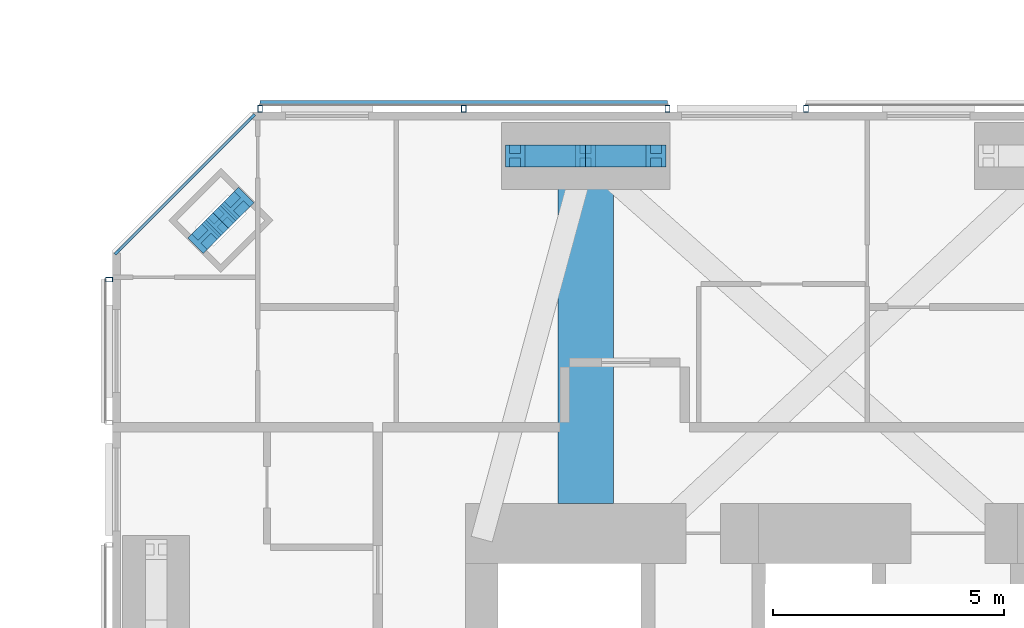
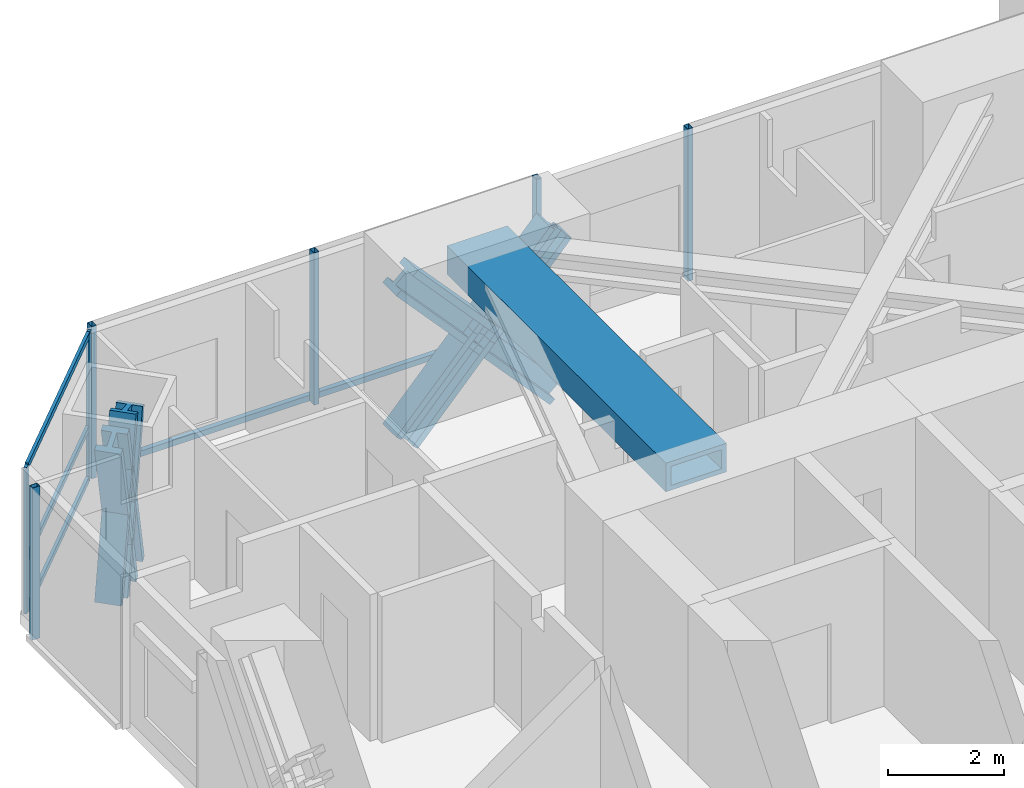
# One storey, part 11 of 22: 19 members, 1 beam, 4 elements without a shape of their own.
"""IFC4 building model written with IfcOpenShell, lengths in metres."""

from ifc_helpers import new_model, si_unit, direction, frame, origin, origin_2d, place, context, subcontext, project, spatial, rectangle, hollow_rectangle, i_section, extrude, material, material_profile, profile_set, type_object, element, aggregate, save


model = new_model("IFC4")

# Units and contexts
model_context = context("Model", 3, precision=1e-05, world=origin(), true_north=direction((0.0, 1.0)))
body_context = subcontext(model_context, "Body", "Model", "MODEL_VIEW")
ifc_project = project(units=[si_unit("LENGTHUNIT", "METRE"), si_unit("AREAUNIT", "SQUARE_METRE"), si_unit("VOLUMEUNIT", "CUBIC_METRE"), si_unit("PLANEANGLEUNIT", "RADIAN"), si_unit("MASSUNIT", "GRAM", prefix="KILO")], contexts=[model_context])

# Site, building, storey
site_placement = place(None, origin())
site = spatial("IfcSite", under=ifc_project, at=site_placement, CompositionType="ELEMENT")
building_placement = place(site_placement, origin())
building = spatial("IfcBuilding", under=site, at=building_placement, Name="Jalousie Tower", CompositionType="ELEMENT")
storey_placement = place(building_placement, frame((0.0, 0.0, 204.60009765625)))
storey = spatial("IfcBuildingStorey", under=building, at=storey_placement, Name="L56", CompositionType="ELEMENT", Elevation=204.60009765625)

# Curtain wall, members
ifc_material_1 = material(Name="Aluminium curtain wall", Category="aluminium")
curtain_wall_type_1 = type_object("IfcCurtainWallType", Name="CORNER WINDOW WALL", PredefinedType="USERDEFINED", material=ifc_material_1)
curtain_wall_1_placement = place(storey_placement, origin())
curtain_wall_1 = element("IfcCurtainWall", 1, at=curtain_wall_1_placement, inside=storey, type_object=curtain_wall_type_1, Name="Corner Window Wall L56 6", ObjectType="CORNER WINDOW WALL", PredefinedType="USERDEFINED")
ifc_material_2 = material(Name="Aluminium mullion", Category="aluminium")
ifc_material_profile_1 = material_profile(ifc_material_2, rectangle(XDim=0.06005859375, YDim=0.14990234375, at=origin_2d()), Name="MULLION 60x150")
ifc_profile_set_1 = profile_set([ifc_material_profile_1], Name="Aluminium mullion")
member_type_1 = type_object("IfcMemberType", Name="CORNER WINDOW WALL MULLION", PredefinedType="MULLION", material=ifc_profile_set_1)
member_1_placement = place(storey_placement, frame((15.030029296875, 35.891357421875, 0.0), z_axis=(0.0, 0.0, 1.0), x_axis=(0.707106781187, -0.707106781187, 0.0)))
member_1 = element("IfcMember", 2, at=member_1_placement, type_object=member_type_1, Name="CW-C mullion 1", PredefinedType="MULLION", context=body_context, shape_type="SweptSolid", body=[
    extrude(rectangle(XDim=0.06005859375, YDim=0.14990234375, at=origin_2d()), origin(), (0.0, 0.0, 1.0), 3.06982421875),
])
member_2_placement = place(storey_placement, frame((12.108642578125, 32.969970703125, 0.0), z_axis=(0.0, 0.0, 1.0), x_axis=(0.707106781187, -0.707106781187, 0.0)))
member_2 = element("IfcMember", 3, at=member_2_placement, type_object=member_type_1, Name="CW-C mullion 2", PredefinedType="MULLION", context=body_context, shape_type="SweptSolid", body=[
    extrude(rectangle(XDim=0.06005859375, YDim=0.14990234375, at=origin_2d()), origin(), (0.0, 0.0, 1.0), 3.06982421875),
])
ifc_material_3 = material(Name="Aluminium transom", Category="aluminium")
ifc_material_profile_2 = material_profile(ifc_material_3, rectangle(XDim=0.06005859375, YDim=0.1201171875, at=origin_2d()), Name="TRANSOM 60x120")
ifc_profile_set_2 = profile_set([ifc_material_profile_2], Name="Aluminium transom")
member_type_2 = type_object("IfcMemberType", Name="CORNER WINDOW WALL TRANSOM", PredefinedType="USERDEFINED", material=ifc_profile_set_2)
member_3_placement = place(storey_placement, frame((15.0087890625, 35.8701171875, 0.02978515625), z_axis=(-0.707106781187, -0.707106781187, 0.0), x_axis=(0.707106781187, -0.707106781187, 0.0)))
member_3 = element("IfcMember", 4, at=member_3_placement, type_object=member_type_2, Name="CW-C transom 1.1", ObjectType="TRANSOM", PredefinedType="USERDEFINED", context=body_context, shape_type="SweptSolid", body=[
    extrude(rectangle(XDim=0.06005859375, YDim=0.1201171875, at=origin_2d()), origin(), (0.0, 0.0, 1.0), 4.0712890625),
])
member_4_placement = place(storey_placement, frame((15.0087890625, 35.8701171875, 1.099853515625), z_axis=(-0.707106781187, -0.707106781187, 0.0), x_axis=(0.707106781187, -0.707106781187, 0.0)))
member_4 = element("IfcMember", 5, at=member_4_placement, type_object=member_type_2, Name="CW-C transom 1.2", ObjectType="TRANSOM", PredefinedType="USERDEFINED", context=body_context, shape_type="SweptSolid", body=[
    extrude(rectangle(XDim=0.06005859375, YDim=0.1201171875, at=origin_2d()), origin(), (0.0, 0.0, 1.0), 4.0712890625),
])
member_5_placement = place(storey_placement, frame((15.0087890625, 35.8701171875, 3.039794921875), z_axis=(-0.707106781187, -0.707106781187, 0.0), x_axis=(0.707106781187, -0.707106781187, 0.0)))
member_5 = element("IfcMember", 6, at=member_5_placement, type_object=member_type_2, Name="CW-C transom 1.3", ObjectType="TRANSOM", PredefinedType="USERDEFINED", context=body_context, shape_type="SweptSolid", body=[
    extrude(rectangle(XDim=0.06005859375, YDim=0.1201171875, at=origin_2d()), origin(), (0.0, 0.0, 1.0), 4.0712890625),
])
aggregate(curtain_wall_1, [member_1, member_2, member_3, member_4, member_5])

# Beam
ifc_material_4 = material(Name="Steel ASTM A572 Grade 50 plate", Category="steel")
ifc_material_profile_3 = material_profile(ifc_material_4, hollow_rectangle(XDim=1.199951171875, YDim=0.60009765625, WallThickness=0.10009765625, at=origin_2d()), Name="BOX 600x1200x100")
ifc_profile_set_3 = profile_set([ifc_material_profile_3], Name="Steel ASTM A572 Grade 50 plate")
beam_type = type_object("IfcBeamType", Name="KINK TIE BOX 600x1200x100", PredefinedType="BEAM", material=ifc_profile_set_3)
beam_placement = place(storey_placement, frame((22.25, 35.050048828125, 2.77001953125), z_axis=(0.0, -1.0, 0.0), x_axis=(1.0, 0.0, 0.0)))
element("IfcBeam", 7, at=beam_placement, inside=storey, type_object=beam_type, Name="Kink tie under L57", PredefinedType="BEAM", context=body_context, shape_type="SweptSolid", body=[
    extrude(hollow_rectangle(XDim=1.199951171875, YDim=0.60009765625, WallThickness=0.10009765625, at=origin_2d()), origin(), (0.0, 0.0, 1.0), 7.525146484375),
])

# Members
ifc_material_5 = material(Name="Steel ASTM A992 Grade 50", Category="steel")
ifc_material_profile_4 = material_profile(ifc_material_5, i_section(OverallWidth=0.472412109375, OverallDepth=0.5791015625, WebThickness=0.094970703125, FlangeThickness=0.1298828125, at=origin_2d()), Name="W14X808")
ifc_profile_set_4 = profile_set([ifc_material_profile_4], Name="Steel ASTM A992 Grade 50")
member_type_3 = type_object("IfcMemberType", Name="PERIMETER BRACE W14X808", PredefinedType="BRACE", material=ifc_profile_set_4)
for number, where, z_axis, x_axis, name in (
    (8, (20.72509765625, 35.050048828125, -0.60009765625), (0.673187629365, 0.0, 0.739471713908), (0.0, 1.0, 0.0), "Perimeter brace 11 L56 part 1"),
    (9, (22.25, 35.050048828125, 1.074951171875), (0.673187629365, 0.0, 0.739471713908), (0.0, 1.0, 0.0), "Perimeter brace 11 L56 part 2"),
    (10, (23.77490234375, 35.050048828125, -0.60009765625), (-0.673187629365, 0.0, 0.739471713908), (0.0, -1.0, 0.0), "Perimeter brace 11 L56 part 3"),
    (11, (22.25, 35.050048828125, 1.074951171875), (-0.673187629365, 0.0, 0.739471713908), (0.0, -1.0, 0.0), "Perimeter brace 11 L56 part 4"),
):
    element("IfcMember", number, at=place(storey_placement, frame(where, z_axis=z_axis, x_axis=x_axis)), inside=storey, type_object=member_type_3, Name=name, PredefinedType="BRACE", context=body_context, shape_type="SweptSolid", body=[
        extrude(i_section(OverallWidth=0.472412109375, OverallDepth=0.5791015625, WebThickness=0.094970703125, FlangeThickness=0.1298828125, at=origin_2d()), origin(), (0.0, 0.0, 1.0), 2.26513671875),
    ])
for number, where, z_axis, x_axis, name in (
    (12, (14.7021484375, 34.0048828125, -0.60009765625), (-0.202372069365, -0.202092742837, 0.958229653493), (0.706618279267, -0.707594945859, 0.0), "Perimeter brace 12 L56 part 1"),
    (13, (14.348388671875, 33.651611328125, 1.074951171875), (-0.202092742837, -0.202372069365, 0.958229653493), (0.707594945859, -0.706618279267, 0.0), "Perimeter brace 12 L56 part 2"),
    (14, (13.9951171875, 33.2978515625, -0.60009765625), (0.202092742837, 0.202372069365, 0.958229653493), (-0.707594945859, 0.706618279267, 0.0), "Perimeter brace 12 L56 part 3"),
    (15, (14.348388671875, 33.651611328125, 1.074951171875), (0.202372069365, 0.202092742837, 0.958229653493), (-0.706618279267, 0.707594945859, 0.0), "Perimeter brace 12 L56 part 4"),
):
    element("IfcMember", number, at=place(storey_placement, frame(where, z_axis=z_axis, x_axis=x_axis)), inside=storey, type_object=member_type_3, Name=name, PredefinedType="BRACE", context=body_context, shape_type="SweptSolid", body=[
        extrude(i_section(OverallWidth=0.472412109375, OverallDepth=0.5791015625, WebThickness=0.094970703125, FlangeThickness=0.1298828125, at=origin_2d()), origin(), (0.0, 0.0, 1.0), 1.748046875),
    ])

# Curtain wall, member
ifc_material_6 = material(Name="Perforated aluminium sheet", Category="aluminium")
curtain_wall_type_2 = type_object("IfcCurtainWallType", Name="SOLAR SCREEN SS-1", PredefinedType="USERDEFINED", material=ifc_material_6)
curtain_wall_2_placement = place(storey_placement, origin())
curtain_wall_2 = element("IfcCurtainWall", 16, at=curtain_wall_2_placement, inside=storey, type_object=curtain_wall_type_2, Name="Solar screen L56", ObjectType="SOLAR SCREEN SS-1", PredefinedType="USERDEFINED")
ifc_material_7 = material(Name="Steel ASTM A500 Grade C", Category="steel")
ifc_material_profile_5 = material_profile(ifc_material_7, hollow_rectangle(XDim=0.1015625, YDim=0.15234375, WallThickness=0.00634765625, at=origin_2d()), Name="HSS6X4X1/4")
ifc_profile_set_5 = profile_set([ifc_material_profile_5], Name="Steel ASTM A500 Grade C")
member_type_4 = type_object("IfcMemberType", Name="SOLAR SCREEN SS-1 MULLION", PredefinedType="MULLION", material=ifc_profile_set_5)
member_6_placement = place(storey_placement, frame((27.02490234375, 36.0712890625, -0.1201171875), z_axis=(0.0, 0.0, 1.0), x_axis=(-1.0, 0.0, 0.0)))
member_6 = element("IfcMember", 17, at=member_6_placement, type_object=member_type_4, Name="SS1 post 2", PredefinedType="MULLION", context=body_context, shape_type="SweptSolid", body=[
    extrude(hollow_rectangle(XDim=0.1015625, YDim=0.15234375, WallThickness=0.00634765625, at=origin_2d()), origin(), (0.0, 0.0, 1.0), 3.18994140625),
])
aggregate(curtain_wall_2, [member_6])

# Curtain wall, members
curtain_wall_3_placement = place(storey_placement, origin())
curtain_wall_3 = element("IfcCurtainWall", 18, at=curtain_wall_3_placement, inside=storey, type_object=curtain_wall_type_2, Name="Solar screen L56", ObjectType="SOLAR SCREEN SS-1", PredefinedType="USERDEFINED")
member_7_placement = place(storey_placement, frame((24.02490234375, 36.0712890625, -0.1201171875), z_axis=(0.0, 0.0, 1.0), x_axis=(-1.0, 0.0, 0.0)))
member_7 = element("IfcMember", 19, at=member_7_placement, type_object=member_type_4, Name="SS1 post 1", PredefinedType="MULLION", context=body_context, shape_type="SweptSolid", body=[
    extrude(hollow_rectangle(XDim=0.1015625, YDim=0.15234375, WallThickness=0.00634765625, at=origin_2d()), origin(), (0.0, 0.0, 1.0), 3.18994140625),
])
member_8_placement = place(storey_placement, frame((19.612548828125, 36.0712890625, -0.1201171875), z_axis=(0.0, 0.0, 1.0), x_axis=(-1.0, 0.0, 0.0)))
member_8 = element("IfcMember", 20, at=member_8_placement, type_object=member_type_4, Name="SS1 post 2", PredefinedType="MULLION", context=body_context, shape_type="SweptSolid", body=[
    extrude(hollow_rectangle(XDim=0.1015625, YDim=0.15234375, WallThickness=0.00634765625, at=origin_2d()), origin(), (0.0, 0.0, 1.0), 3.18994140625),
])
member_9_placement = place(storey_placement, frame((15.199951171875, 36.0712890625, -0.1201171875), z_axis=(0.0, 0.0, 1.0), x_axis=(-1.0, 0.0, 0.0)))
member_9 = element("IfcMember", 21, at=member_9_placement, type_object=member_type_4, Name="SS1 post 3", PredefinedType="MULLION", context=body_context, shape_type="SweptSolid", body=[
    extrude(hollow_rectangle(XDim=0.1015625, YDim=0.15234375, WallThickness=0.00634765625, at=origin_2d()), origin(), (0.0, 0.0, 1.0), 3.18994140625),
])

# Curtain wall, member
curtain_wall_4_placement = place(storey_placement, origin())
curtain_wall_4 = element("IfcCurtainWall", 22, at=curtain_wall_4_placement, inside=storey, type_object=curtain_wall_type_2, Name="Solar screen L56", ObjectType="SOLAR SCREEN SS-1", PredefinedType="USERDEFINED")
member_10_placement = place(storey_placement, frame((11.9287109375, 32.3701171875, -0.1201171875), z_axis=(0.0, 0.0, 1.0), x_axis=(0.0, -1.0, 0.0)))
member_10 = element("IfcMember", 23, at=member_10_placement, type_object=member_type_4, Name="SS1 post 1", PredefinedType="MULLION", context=body_context, shape_type="SweptSolid", body=[
    extrude(hollow_rectangle(XDim=0.1015625, YDim=0.15234375, WallThickness=0.00634765625, at=origin_2d()), origin(), (0.0, 0.0, 1.0), 3.18994140625),
])
aggregate(curtain_wall_4, [member_10])

# Member
ifc_material_8 = material(Name="Extruded aluminium screen rail", Category="aluminium")
ifc_material_profile_6 = material_profile(ifc_material_8, rectangle(XDim=0.1015625, YDim=0.1201171875, at=origin_2d()), Name="RAIL 102x120")
ifc_profile_set_6 = profile_set([ifc_material_profile_6], Name="Extruded aluminium screen rail")
member_type_5 = type_object("IfcMemberType", Name="SOLAR SCREEN SS-1 TRANSOM", PredefinedType="USERDEFINED", material=ifc_profile_set_6)
member_11_placement = place(storey_placement, frame((24.02490234375, 36.1982421875, -0.06005859375), z_axis=(-1.0, 0.0, 0.0), x_axis=(0.0, -1.0, 0.0)))
member_11 = element("IfcMember", 24, at=member_11_placement, type_object=member_type_5, Name="SS1 rail", ObjectType="TRANSOM", PredefinedType="USERDEFINED", context=body_context, shape_type="SweptSolid", body=[
    extrude(rectangle(XDim=0.1015625, YDim=0.1201171875, at=origin_2d()), origin(), (0.0, 0.0, 1.0), 8.824951171875),
])

aggregate(curtain_wall_3, [member_7, member_8, member_9, member_11])

save(model, "model.ifc")
